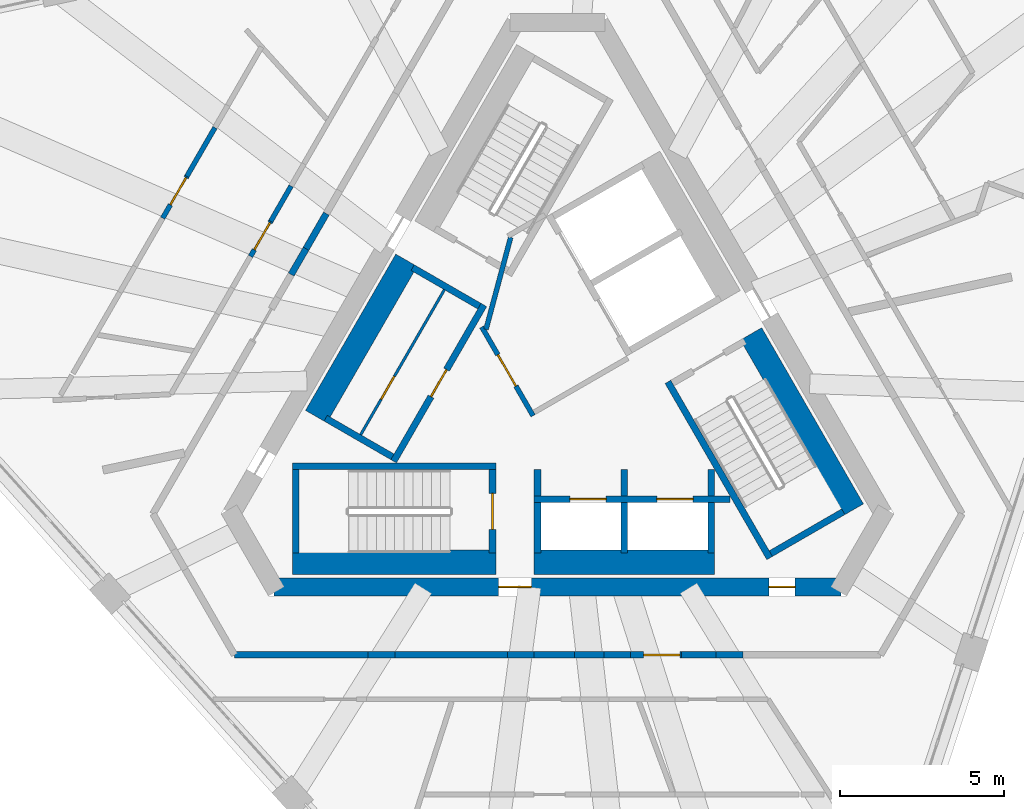
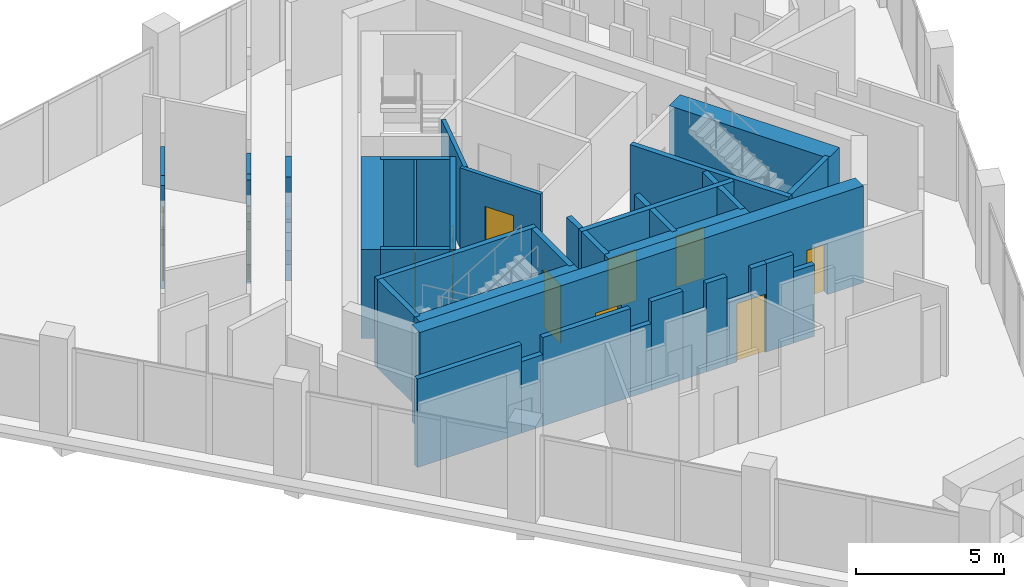
# One storey, part 11 of 17: 39 walls, 11 doors, 11 openings.
"""IFC4 building model written with IfcOpenShell, lengths in metres."""

import ifcopenshell
import ifcopenshell.guid

model = None  # the IFC model being written
_history = None  # IfcOwnerHistory: only IFC2X3 demands one
_inside = {}  # id of a spatial element -> (the spatial element, [elements in it])
_under = {}  # id of a project, library or spatial element -> (it, [spatial elements below it])
_declared = {}  # id of a project -> (the project, [libraries it declares])
_typed = {}  # id of a type object -> (the type object, [elements of that type])
_made_of = {}  # id of a material, layer set ... -> (it, [elements and type objects made of it])


def new_model(schema):
    """Start an empty IFC model of exactly this schema.

    Asked for "IFC4X3", IfcOpenShell would pick the latest addendum, in which some entities
    have other attributes; the version numbers below select the first issue.
    IFC2X3 requires an IfcOwnerHistory on every rooted entity: one is made here for all.
    """
    global model, _history
    if schema == "IFC4X3":
        model = ifcopenshell.file(schema_version=(4, 3, 0, 0))
    else:
        model = ifcopenshell.file(schema=schema)
    _inside.clear()
    _under.clear()
    _declared.clear()
    _typed.clear()
    _made_of.clear()
    _history = None
    if model.schema == "IFC2X3":
        org = make("IfcOrganization", Name="unknown")
        user = make(
            "IfcPersonAndOrganization",
            ThePerson=make("IfcPerson", FamilyName="unknown"),
            TheOrganization=org,
        )
        app = make(
            "IfcApplication",
            ApplicationDeveloper=org,
            Version="unknown",
            ApplicationFullName="unknown",
            ApplicationIdentifier="unknown",
        )
        _history = make(
            "IfcOwnerHistory",
            OwningUser=user,
            OwningApplication=app,
            ChangeAction="ADDED",
            CreationDate=0,
        )
    return model


def make(cls, **values):
    """One entity of the class cls with the attributes given. An attribute that is None is left unset."""
    return model.create_entity(
        cls, **{name: value for name, value in values.items() if value is not None}
    )


def rooted(cls, **values):
    """An entity with a GlobalId (a new one), such as an element, a storey or a relation."""
    return make(cls, GlobalId=ifcopenshell.guid.new(), OwnerHistory=_history, **values)


def si_unit(unit_type, name, prefix=None):
    """IfcSIUnit, for example si_unit("LENGTHUNIT", "METRE", prefix="MILLI")."""
    return make("IfcSIUnit", UnitType=unit_type, Prefix=prefix, Name=name)


def assignment(units):
    """IfcUnitAssignment: the units of a project."""
    return None if units is None else make("IfcUnitAssignment", Units=units)


def point(xyz):
    """IfcCartesianPoint."""
    return None if xyz is None else make("IfcCartesianPoint", Coordinates=xyz)


def direction(xyz):
    """IfcDirection."""
    return None if xyz is None else make("IfcDirection", DirectionRatios=xyz)


def frame(location, z_axis=None, x_axis=None):
    """IfcAxis2Placement3D, a coordinate frame: its origin and axes. An axis left out is left unset."""
    return make(
        "IfcAxis2Placement3D",
        Location=point(location),
        Axis=direction(z_axis),
        RefDirection=direction(x_axis),
    )


def frame_2d(location, x_axis=None):
    """IfcAxis2Placement2D, a coordinate frame in the plane: its origin and x axis."""
    return make(
        "IfcAxis2Placement2D", Location=point(location), RefDirection=direction(x_axis)
    )


def origin():
    """The frame at (0, 0, 0) with its axes left unset."""
    return frame((0.0, 0.0, 0.0))


def place(relative_to, where):
    """IfcLocalPlacement: puts the frame where relative to a parent placement (None: the world)."""
    return make(
        "IfcLocalPlacement", PlacementRelTo=relative_to, RelativePlacement=where
    )


def context(
    kind, dimensions, precision=None, world=None, true_north=None, identifier=None
):
    """IfcGeometricRepresentationContext, for example the 3D "Model" context."""
    return make(
        "IfcGeometricRepresentationContext",
        ContextIdentifier=identifier,
        ContextType=kind,
        CoordinateSpaceDimension=dimensions,
        Precision=precision,
        WorldCoordinateSystem=world,
        TrueNorth=true_north,
    )


def subcontext(parent, identifier, kind, view, scale=None):
    """IfcGeometricRepresentationSubContext, for example "Body" below "Model"."""
    return make(
        "IfcGeometricRepresentationSubContext",
        ContextIdentifier=identifier,
        ContextType=kind,
        ParentContext=parent,
        TargetScale=scale,
        TargetView=view,
    )


def project(units=None, contexts=None):
    """IfcProject with its units and contexts."""
    return rooted(
        "IfcProject",
        Name="project",
        RepresentationContexts=contexts,
        UnitsInContext=assignment(units),
    )


def spatial(cls, under=None, at=None, **own):
    """A site, building, storey or space (cls), placed at a placement, below another one or the project."""
    s = rooted(cls, ObjectPlacement=at, **own)
    if under is not None:
        _under.setdefault(under.id(), (under, []))[1].append(s)
    return s


def polyline(points):
    """IfcPolyline through the points."""
    return make("IfcPolyline", Points=[point(p) for p in points])


def profile(cls, at=None, kind="AREA", **sizes):
    """A parametric profile (cls). Its sizes go by their IFC names, for example OverallWidth=200.0."""
    return make(cls, ProfileType=kind, Position=at, **sizes)


def rectangle(**sizes):
    """IfcRectangleProfileDef."""
    return profile("IfcRectangleProfileDef", **sizes)


def outline(outer, holes=None, kind="AREA"):
    """IfcArbitraryClosedProfileDef: a profile drawn as a closed curve; with holes, ...WithVoids."""
    if holes is None:
        return make("IfcArbitraryClosedProfileDef", ProfileType=kind, OuterCurve=outer)
    return make(
        "IfcArbitraryProfileDefWithVoids",
        ProfileType=kind,
        OuterCurve=outer,
        InnerCurves=holes,
    )


def extrude(swept, where, along, depth):
    """IfcExtrudedAreaSolid: the profile swept, set in the frame where, extruded along a direction by depth."""
    return make(
        "IfcExtrudedAreaSolid",
        SweptArea=swept,
        Position=where,
        ExtrudedDirection=direction(along),
        Depth=depth,
    )


def shape(context_of_items, identifier, shape_type, items):
    """IfcShapeRepresentation: the items that make up one representation, for example the "Body"."""
    return make(
        "IfcShapeRepresentation",
        ContextOfItems=context_of_items,
        RepresentationIdentifier=identifier,
        RepresentationType=shape_type,
        Items=items,
    )


def material(Name=None, Category=None):
    """IfcMaterial."""
    return make("IfcMaterial", Name=Name, Category=Category)


def layer(
    of_material, thickness, ventilated=None, Name=None, Category=None, Priority=None
):
    """IfcMaterialLayer: one layer of a wall or slab, of a material (None: an air gap)."""
    return make(
        "IfcMaterialLayer",
        Material=of_material,
        LayerThickness=thickness,
        IsVentilated=ventilated,
        Name=Name,
        Category=Category,
        Priority=Priority,
    )


def layer_set(layers, Name=None):
    """IfcMaterialLayerSet."""
    return make("IfcMaterialLayerSet", MaterialLayers=layers, LayerSetName=Name)


def made_of(thing, what):
    """Note that an element or type object is made of a material, layer set ...; save() writes the relation."""
    if what is not None:
        _made_of.setdefault(what.id(), (what, []))[1].append(thing)
    return thing


def type_object(cls, material=None, **own):
    """A type object (cls), such as IfcWallType, which elements share."""
    return made_of(rooted(cls, **own), material)


def element(
    cls,
    number,
    at=None,
    inside=None,
    cuts=None,
    type_object=None,
    material=None,
    context=None,
    identifier="Body",
    shape_type=None,
    held_by="IfcProductDefinitionShape",
    body=None,
    shapes=None,
    **own,
):
    """One element of the class cls, such as IfcWall. Its Tag is "e" and its number.

    at: its placement. inside: the storey or other place that contains it. cuts: it is an
    opening in that element (IfcRelVoidsElement). A single representation is given by context,
    identifier, shape_type and body (its items); several are given by shapes. held_by: the class
    of the entity that holds the representations. save() writes the other relations.
    """
    e = rooted(cls, Tag="e%d" % number, ObjectPlacement=at, **own)
    if body is not None:
        shapes = [shape(context, identifier, shape_type, body)]
    if shapes is not None:
        e.Representation = make(held_by, Representations=shapes)
    if inside is not None:
        _inside.setdefault(inside.id(), (inside, []))[1].append(e)
    if cuts is not None:
        rooted(
            "IfcRelVoidsElement", RelatingBuildingElement=cuts, RelatedOpeningElement=e
        )
    if type_object is not None:
        _typed.setdefault(type_object.id(), (type_object, []))[1].append(e)
    return made_of(e, material)


def fill(opening, filler):
    """IfcRelFillsElement: the door or window that sits in an opening."""
    return rooted(
        "IfcRelFillsElement",
        RelatingOpeningElement=opening,
        RelatedBuildingElement=filler,
    )


def aggregate(whole, parts):
    """IfcRelAggregates: a whole, such as a stair, and the parts it consists of."""
    return rooted("IfcRelAggregates", RelatingObject=whole, RelatedObjects=parts)


def save(model, path):
    """Write the relations noted so far, then the file.

    IfcRelAggregates (storeys below a building ...), IfcRelContainedInSpatialStructure (elements
    in a storey), IfcRelDefinesByType, IfcRelAssociatesMaterial and IfcRelDeclares: one each for
    every whole, place, type object, material and project.
    """
    for whole, parts in _under.values():
        aggregate(whole, parts)
    for where, things in _inside.values():
        rooted(
            "IfcRelContainedInSpatialStructure",
            RelatedElements=things,
            RelatingStructure=where,
        )
    for kind, things in _typed.values():
        rooted("IfcRelDefinesByType", RelatedObjects=things, RelatingType=kind)
    for what, things in _made_of.values():
        rooted("IfcRelAssociatesMaterial", RelatedObjects=things, RelatingMaterial=what)
    for by, libraries in _declared.values():
        rooted("IfcRelDeclares", RelatingContext=by, RelatedDefinitions=libraries)
    model.write(path)


model = new_model("IFC4")

# Units and contexts
model_context = context("Model", 3, precision=1e-05, world=origin(), true_north=direction((0.0, 1.0)))
body_context = subcontext(model_context, "Body", "Model", "MODEL_VIEW")
ifc_project = project(units=[si_unit("LENGTHUNIT", "METRE"), si_unit("AREAUNIT", "SQUARE_METRE"), si_unit("VOLUMEUNIT", "CUBIC_METRE"), si_unit("PLANEANGLEUNIT", "RADIAN"), si_unit("MASSUNIT", "GRAM", prefix="KILO")], contexts=[model_context])

# Site, building, storey
site_placement = place(None, origin())
site = spatial("IfcSite", under=ifc_project, at=site_placement, CompositionType="ELEMENT")
building_placement = place(site_placement, origin())
building = spatial("IfcBuilding", under=site, at=building_placement, Name="Tramontana Tower", CompositionType="ELEMENT")
storey_placement = place(building_placement, frame((0.0, 0.0, 348.39990234375)))
storey = spatial("IfcBuildingStorey", under=building, at=storey_placement, Name="L80", CompositionType="ELEMENT", Elevation=348.39990234375)

# Wall, openings, doors
ifc_material_1 = material(Name="Concrete 70 MPa", Category="concrete")
ifc_layer_1 = layer(ifc_material_1, 0.550048828125)
ifc_layer_set_1 = layer_set([ifc_layer_1], Name="Core wall 550 70 MPa")
wall_type_1 = type_object("IfcWallType", Name="Core wall 550 70 MPa", PredefinedType="SHEAR", material=ifc_layer_set_1)
wall_1_placement = place(storey_placement, frame((-8.645751953125, -6.47509765625, 0.0), z_axis=(0.0, 0.0, 1.0), x_axis=(1.0, 0.0, 0.0)))
wall_1 = element("IfcWall", 1, at=wall_1_placement, inside=storey, type_object=wall_type_1, Name="Core wall C3 L80", PredefinedType="SHEAR", context=body_context, shape_type="SweptSolid", body=[
    extrude(rectangle(XDim=17.29150390625, YDim=0.550048828125, at=frame_2d((8.645751953125, 0.0))), origin(), (0.0, 0.0, 1.0), 4.0),
])
opening_1_placement = place(wall_1_placement, frame((6.850830078125, 0.0, 0.0)))
opening_1 = element("IfcOpeningElement", 2, at=opening_1_placement, cuts=wall_1, Name="Opening RG2", PredefinedType="OPENING", context=body_context, shape_type="SweptSolid", body=[
    extrude(rectangle(XDim=1.0, YDim=2.39990234375, at=frame_2d((0.5, 1.199951171875))), frame((0.0, 0.284912109375, 0.0), z_axis=(0.0, -1.0, 0.0), x_axis=(1.0, 0.0, 0.0)), (0.0, 0.0, 1.0), 0.570068359375),
])
opening_2_placement = place(wall_1_placement, frame((15.088623046875, 0.0, 0.0)))
opening_2 = element("IfcOpeningElement", 3, at=opening_2_placement, cuts=wall_1, Name="Opening PD2", PredefinedType="OPENING", context=body_context, shape_type="SweptSolid", body=[
    extrude(rectangle(XDim=0.800048828125, YDim=2.10009765625, at=frame_2d((0.39990234375, 1.050048828125))), frame((0.0, 0.284912109375, 0.0), z_axis=(0.0, -1.0, 0.0), x_axis=(1.0, 0.0, 0.0)), (0.0, 0.0, 1.0), 0.570068359375),
])
ifc_material_2 = material(Name="Painted steel", Category="steel")
door_type_1 = type_object("IfcDoorType", Name="CUPBOARD DOOR 800", OperationType="SINGLE_SWING_LEFT", PredefinedType="DOOR", material=ifc_material_2)
door_1_placement = place(opening_2_placement, origin())
door_1 = element("IfcDoor", 4, at=door_1_placement, inside=storey, type_object=door_type_1, Name="Door PD2", OperationType="SINGLE_SWING_RIGHT", OverallHeight=2.10009765625, OverallWidth=0.800048828125, PredefinedType="DOOR", context=body_context, shape_type="SweptSolid", body=[
    extrude(rectangle(XDim=0.800048828125, YDim=2.10009765625, at=frame_2d((0.39990234375, 1.050048828125))), frame((0.0, 0.02490234375, 0.0), z_axis=(0.0, -1.0, 0.0), x_axis=(1.0, 0.0, 0.0)), (0.0, 0.0, 1.0), 0.050048828125),
])
fill(opening_2, door_1)
ifc_material_3 = material(Name="Painted steel", Category="steel")
door_type_2 = type_object("IfcDoorType", Name="RING DOOR 1000", OperationType="SINGLE_SWING_LEFT", PredefinedType="DOOR", material=ifc_material_3)
door_2_placement = place(opening_1_placement, origin())
door_2 = element("IfcDoor", 5, at=door_2_placement, inside=storey, type_object=door_type_2, Name="Door RG2", OperationType="SINGLE_SWING_LEFT", OverallHeight=2.39990234375, OverallWidth=1.0, PredefinedType="DOOR", context=body_context, shape_type="SweptSolid", body=[
    extrude(rectangle(XDim=1.0, YDim=2.39990234375, at=frame_2d((0.5, 1.199951171875))), frame((0.0, 0.02490234375, 0.0), z_axis=(0.0, -1.0, 0.0), x_axis=(1.0, 0.0, 0.0)), (0.0, 0.0, 1.0), 0.050048828125),
])
fill(opening_1, door_2)

# Walls
ifc_material_4 = material(Name="Blockwork", Category="masonry")
ifc_layer_2 = layer(ifc_material_4, 0.199951171875)
ifc_layer_set_2 = layer_set([ifc_layer_2], Name="ENTRY WALL 200")
wall_type_2 = type_object("IfcWallType", Name="ENTRY WALL 200", PredefinedType="SOLIDWALL", material=ifc_layer_set_2)
wall_2_placement = place(storey_placement, frame((5.6494140625, -8.550048828125, 0.0), z_axis=(0.0, 0.0, 1.0), x_axis=(-1.0, 0.0, 0.0)))
element("IfcWall", 6, at=wall_2_placement, inside=storey, type_object=wall_type_2, Name="Wall v82-ew1-1", PredefinedType="SOLIDWALL", context=body_context, shape_type="SweptSolid", body=[
    extrude(rectangle(XDim=0.821044921875, YDim=0.199951171875, at=frame_2d((0.41064453125, 0.0))), origin(), (0.0, 0.0, 1.0), 2.9501953125),
])
wall_3_placement = place(storey_placement, frame((4.828369140625, -8.550048828125, 0.0), z_axis=(0.0, 0.0, 1.0), x_axis=(-1.0, 0.0, 0.0)))
element("IfcWall", 7, at=wall_3_placement, inside=storey, type_object=wall_type_2, Name="Wall v82-ew1-2", PredefinedType="SOLIDWALL", context=body_context, shape_type="SweptSolid", body=[
    extrude(rectangle(XDim=1.050048828125, YDim=0.199951171875, at=frame_2d((0.52490234375, 0.0))), origin(), (0.0, 0.0, 1.0), 3.650146484375),
])

# Wall, opening, door
wall_4_placement = place(storey_placement, frame((2.22900390625, -8.550048828125, 0.0), z_axis=(0.0, 0.0, 1.0), x_axis=(1.0, 0.0, 0.0)))
wall_4 = element("IfcWall", 8, at=wall_4_placement, inside=storey, type_object=wall_type_2, Name="Wall v82-ew1-3", PredefinedType="SOLIDWALL", context=body_context, shape_type="SweptSolid", body=[
    extrude(outline(polyline([(0.0, 0.0), (1.54931640625, 0.0), (1.549072265625, 3.650146484375), (0.94384765625, 3.650146484375), (0.94384765625, 2.550048828125), (0.0, 2.550048828125), (0.0, 0.0)])), frame((0.0, 0.10009765625, 0.0), z_axis=(0.0, -1.0, 0.0), x_axis=(1.0, 0.0, 0.0)), (0.0, 0.0, 1.0), 0.199951171875),
])
opening_3_placement = place(wall_4_placement, frame((0.399169921875, 0.0, 0.0)))
opening_3 = element("IfcOpeningElement", 9, at=opening_3_placement, cuts=wall_4, Name="Opening B8C-16", PredefinedType="OPENING", context=body_context, shape_type="SweptSolid", body=[
    extrude(rectangle(XDim=1.10009765625, YDim=2.39990234375, at=frame_2d((0.550048828125, 1.199951171875))), frame((0.0, 0.10986328125, 0.0), z_axis=(0.0, -1.0, 0.0), x_axis=(1.0, 0.0, 0.0)), (0.0, 0.0, 1.0), 0.219970703125),
])
ifc_material_5 = material(Name="Painted timber", Category="wood")
door_type_3 = type_object("IfcDoorType", Name="DOOR ENTRY 1100", OperationType="SINGLE_SWING_LEFT", PredefinedType="DOOR", material=ifc_material_5)
door_3_placement = place(opening_3_placement, origin())
door_3 = element("IfcDoor", 10, at=door_3_placement, inside=storey, type_object=door_type_3, Name="Door B8C-16", OperationType="SINGLE_SWING_RIGHT", OverallHeight=2.39990234375, OverallWidth=1.10009765625, PredefinedType="DOOR", context=body_context, shape_type="SweptSolid", body=[
    extrude(rectangle(XDim=1.10009765625, YDim=2.39990234375, at=frame_2d((0.550048828125, 1.199951171875))), frame((0.0, 0.02490234375, 0.0), z_axis=(0.0, -1.0, 0.0), x_axis=(1.0, 0.0, 0.0)), (0.0, 0.0, 1.0), 0.050048828125),
])
fill(opening_3, door_3)

# Walls
wall_5_placement = place(storey_placement, frame((2.22900390625, -8.550048828125, 0.0), z_axis=(0.0, 0.0, 1.0), x_axis=(-1.0, 0.0, 0.0)))
element("IfcWall", 11, at=wall_5_placement, inside=storey, type_object=wall_type_2, Name="Wall v82-ew1-4", PredefinedType="SOLIDWALL", context=body_context, shape_type="SweptSolid", body=[
    extrude(rectangle(XDim=0.806640625, YDim=0.199951171875, at=frame_2d((0.4033203125, 0.0))), origin(), (0.0, 0.0, 1.0), 3.650146484375),
])
wall_6_placement = place(storey_placement, frame((1.42236328125, -8.550048828125, 0.0), z_axis=(0.0, 0.0, 1.0), x_axis=(-1.0, 0.0, 0.0)))
element("IfcWall", 12, at=wall_6_placement, inside=storey, type_object=wall_type_2, Name="Wall v82-ew1-5", PredefinedType="SOLIDWALL", context=body_context, shape_type="SweptSolid", body=[
    extrude(rectangle(XDim=0.90576171875, YDim=0.199951171875, at=frame_2d((0.452880859375, 0.0))), origin(), (0.0, 0.0, 1.0), 2.550048828125),
])
wall_7_placement = place(storey_placement, frame((0.5166015625, -8.550048828125, 0.0), z_axis=(0.0, 0.0, 1.0), x_axis=(-1.0, 0.0, 0.0)))
element("IfcWall", 13, at=wall_7_placement, inside=storey, type_object=wall_type_2, Name="Wall v82-ew1-6", PredefinedType="SOLIDWALL", context=body_context, shape_type="SweptSolid", body=[
    extrude(rectangle(XDim=1.23828125, YDim=0.199951171875, at=frame_2d((0.619140625, 0.0))), origin(), (0.0, 0.0, 1.0), 3.650146484375),
])
wall_8_placement = place(storey_placement, frame((-0.7216796875, -8.550048828125, 0.0), z_axis=(0.0, 0.0, 1.0), x_axis=(-1.0, 0.0, 0.0)))
element("IfcWall", 14, at=wall_8_placement, inside=storey, type_object=wall_type_2, Name="Wall v82-ew1-7", PredefinedType="SOLIDWALL", context=body_context, shape_type="SweptSolid", body=[
    extrude(rectangle(XDim=0.806884765625, YDim=0.199951171875, at=frame_2d((0.4033203125, 0.0))), origin(), (0.0, 0.0, 1.0), 2.75),
])
wall_9_placement = place(storey_placement, frame((-1.528564453125, -8.550048828125, 0.0), z_axis=(0.0, 0.0, 1.0), x_axis=(-1.0, 0.0, 0.0)))
element("IfcWall", 15, at=wall_9_placement, inside=storey, type_object=wall_type_2, Name="Wall v82-ew1-8", PredefinedType="SOLIDWALL", context=body_context, shape_type="SweptSolid", body=[
    extrude(rectangle(XDim=3.423095703125, YDim=0.199951171875, at=frame_2d((1.71142578125, 0.0))), origin(), (0.0, 0.0, 1.0), 3.650146484375),
])
wall_10_placement = place(storey_placement, frame((-4.95166015625, -8.550048828125, 0.0), z_axis=(0.0, 0.0, 1.0), x_axis=(-1.0, 0.0, 0.0)))
element("IfcWall", 16, at=wall_10_placement, inside=storey, type_object=wall_type_2, Name="Wall v82-ew1-9", PredefinedType="SOLIDWALL", context=body_context, shape_type="SweptSolid", body=[
    extrude(rectangle(XDim=0.826416015625, YDim=0.199951171875, at=frame_2d((0.4130859375, 0.0))), origin(), (0.0, 0.0, 1.0), 2.9501953125),
])
wall_11_placement = place(storey_placement, frame((-5.778076171875, -8.550048828125, 0.0), z_axis=(0.0, 0.0, 1.0), x_axis=(-1.0, 0.0, 0.0)))
element("IfcWall", 17, at=wall_11_placement, inside=storey, type_object=wall_type_2, Name="Wall v82-ew1-10", PredefinedType="SOLIDWALL", context=body_context, shape_type="SweptSolid", body=[
    extrude(rectangle(XDim=4.065673828125, YDim=0.199951171875, at=frame_2d((2.03271484375, 0.0))), origin(), (0.0, 0.0, 1.0), 3.650146484375),
])
wall_12_placement = place(storey_placement, frame((-8.11572265625, 3.043212890625, 0.0), z_axis=(0.0, 0.0, 1.0), x_axis=(0.499994660107, 0.866028486751, 0.0)))
element("IfcWall", 18, at=wall_12_placement, inside=storey, type_object=wall_type_2, Name="Wall v82-ew3-5", PredefinedType="SOLIDWALL", context=body_context, shape_type="SweptSolid", body=[
    extrude(rectangle(XDim=0.90576171875, YDim=0.199951171875, at=frame_2d((0.452880859375, 0.0))), origin(), (0.0, 0.0, 1.0), 2.550048828125),
])
wall_13_placement = place(storey_placement, frame((-7.662841796875, 3.82763671875, 0.0), z_axis=(0.0, 0.0, 1.0), x_axis=(0.499955681623, 0.866050989499, 0.0)))
element("IfcWall", 19, at=wall_13_placement, inside=storey, type_object=wall_type_2, Name="Wall v82-ew3-6", PredefinedType="SOLIDWALL", context=body_context, shape_type="SweptSolid", body=[
    extrude(rectangle(XDim=1.23828125, YDim=0.199951171875, at=frame_2d((0.619140625, 0.0))), origin(), (0.0, 0.0, 1.0), 3.650146484375),
])

# Wall, opening, door
ifc_material_6 = material(Name="Gypsum board partition")
ifc_layer_3 = layer(ifc_material_6, 0.14990234375)
ifc_layer_set_3 = layer_set([ifc_layer_3], Name="PARTITION 150")
wall_type_3 = type_object("IfcWallType", Name="PARTITION 150", PredefinedType="PARTITIONING", material=ifc_layer_set_3)
wall_14_placement = place(storey_placement, frame((-0.744140625, -1.260986328125, 0.0), z_axis=(0.0, 0.0, 1.0), x_axis=(-0.500004234368, 0.866022959057, 0.0)))
wall_14 = element("IfcWall", 20, at=wall_14_placement, inside=storey, type_object=wall_type_3, Name="Wall ff-front", PredefinedType="PARTITIONING", context=body_context, shape_type="SweptSolid", body=[
    extrude(rectangle(XDim=3.125, YDim=0.14990234375, at=frame_2d((1.5625, 0.0))), origin(), (0.0, 0.0, 1.0), 3.650146484375),
])
opening_4_placement = place(wall_14_placement, frame((1.050048828125, 0.0, 0.0)))
opening_4 = element("IfcOpeningElement", 21, at=opening_4_placement, cuts=wall_14, Name="Opening FD1", PredefinedType="OPENING", context=body_context, shape_type="SweptSolid", body=[
    extrude(rectangle(XDim=1.10009765625, YDim=2.39990234375, at=frame_2d((0.550048828125, 1.199951171875))), frame((0.0, 0.0849609375, 0.0), z_axis=(0.0, -1.0, 0.0), x_axis=(1.0, 0.0, 0.0)), (0.0, 0.0, 1.0), 0.169921875),
])
door_4_placement = place(opening_4_placement, origin())
door_4 = element("IfcDoor", 22, at=door_4_placement, inside=storey, type_object=door_type_3, Name="Door FD1", OperationType="SINGLE_SWING_LEFT", OverallHeight=2.39990234375, OverallWidth=1.10009765625, PredefinedType="DOOR", context=body_context, shape_type="SweptSolid", body=[
    extrude(rectangle(XDim=1.10009765625, YDim=2.39990234375, at=frame_2d((0.550048828125, 1.199951171875))), frame((0.0, 0.02490234375, 0.0), z_axis=(0.0, -1.0, 0.0), x_axis=(1.0, 0.0, 0.0)), (0.0, 0.0, 1.0), 0.050048828125),
])
fill(opening_4, door_4)

# Wall
wall_15_placement = place(storey_placement, frame((-2.177978515625, 1.372314453125, 0.0), z_axis=(0.0, 0.0, 1.0), x_axis=(0.258808958833, 0.96592852884, 0.0)))
element("IfcWall", 23, at=wall_15_placement, inside=storey, type_object=wall_type_3, Name="Wall ff-diag", PredefinedType="PARTITIONING", context=body_context, shape_type="SweptSolid", body=[
    extrude(rectangle(XDim=2.902587890625, YDim=0.14990234375, at=frame_2d((1.451171875, 0.0))), origin(), (0.0, 0.0, 1.0), 3.650146484375),
])

# Wall, opening, door
wall_16_placement = place(storey_placement, frame((-12.031005859375, 4.761962890625, 0.0), z_axis=(0.0, 0.0, 1.0), x_axis=(0.50006736263, 0.865986508459, 0.0)))
wall_16 = element("IfcWall", 24, at=wall_16_placement, inside=storey, type_object=wall_type_3, Name="Wall v82-pw02-3", PredefinedType="PARTITIONING", context=body_context, shape_type="SweptSolid", body=[
    extrude(outline(polyline([(0.0, 0.0), (1.470458984375, 0.0), (1.470703125, 3.650146484375), (0.880615234375, 3.650146484375), (0.880615234375, 2.550048828125), (0.0, 2.550048828125), (0.0, 0.0)])), frame((0.0, 0.074951171875, 0.0), z_axis=(0.0, -1.0, 0.0), x_axis=(1.0, 0.0, 0.0)), (0.0, 0.0, 1.0), 0.14990234375),
])
opening_5_placement = place(wall_16_placement, frame((0.470703125, 0.0, 0.0)))
opening_5 = element("IfcOpeningElement", 25, at=opening_5_placement, cuts=wall_16, Name="Opening B8C-12", PredefinedType="OPENING", context=body_context, shape_type="SweptSolid", body=[
    extrude(rectangle(XDim=0.949951171875, YDim=2.39990234375, at=frame_2d((0.47509765625, 1.199951171875))), frame((0.0, 0.0849609375, 0.0), z_axis=(0.0, -1.0, 0.0), x_axis=(1.0, 0.0, 0.0)), (0.0, 0.0, 1.0), 0.169921875),
])
ifc_material_7 = material(Name="Painted timber", Category="wood")
door_type_4 = type_object("IfcDoorType", Name="DOOR ROOM 950", OperationType="SINGLE_SWING_LEFT", PredefinedType="DOOR", material=ifc_material_7)
door_5_placement = place(opening_5_placement, origin())
door_5 = element("IfcDoor", 26, at=door_5_placement, inside=storey, type_object=door_type_4, Name="Door B8C-12", OperationType="SINGLE_SWING_RIGHT", OverallHeight=2.39990234375, OverallWidth=0.949951171875, PredefinedType="DOOR", context=body_context, shape_type="SweptSolid", body=[
    extrude(rectangle(XDim=0.949951171875, YDim=2.39990234375, at=frame_2d((0.47509765625, 1.199951171875))), frame((0.0, 0.02490234375, 0.0), z_axis=(0.0, -1.0, 0.0), x_axis=(1.0, 0.0, 0.0)), (0.0, 0.0, 1.0), 0.050048828125),
])
fill(opening_5, door_5)

# Wall
wall_17_placement = place(storey_placement, frame((-11.295654296875, 6.035400390625, 0.0), z_axis=(0.0, 0.0, 1.0), x_axis=(0.500059337743, 0.865991142412, 0.0)))
element("IfcWall", 27, at=wall_17_placement, inside=storey, type_object=wall_type_3, Name="Wall v82-pw02-4", PredefinedType="PARTITIONING", context=body_context, shape_type="SweptSolid", body=[
    extrude(rectangle(XDim=1.714599609375, YDim=0.14990234375, at=frame_2d((0.857421875, 0.0))), origin(), (0.0, 0.0, 1.0), 3.650146484375),
])

# Wall, opening, door
wall_18_placement = place(storey_placement, frame((-9.35498046875, 3.5966796875, 0.0), z_axis=(0.0, 0.0, 1.0), x_axis=(0.499990780478, 0.866030726613, 0.0)))
wall_18 = element("IfcWall", 28, at=wall_18_placement, inside=storey, type_object=wall_type_3, Name="Wall v82-pw03-4", PredefinedType="PARTITIONING", context=body_context, shape_type="SweptSolid", body=[
    extrude(outline(polyline([(0.0, 0.0), (1.23388671875, 0.0), (1.23388671875, 3.650146484375), (0.880615234375, 3.650146484375), (0.880615234375, 2.550048828125), (0.0, 2.550048828125), (0.0, 0.0)])), frame((0.0, 0.074951171875, 0.0), z_axis=(0.0, -1.0, 0.0), x_axis=(1.0, 0.0, 0.0)), (0.0, 0.0, 1.0), 0.14990234375),
])
opening_6_placement = place(wall_18_placement, frame((0.23388671875, 0.0, 0.0)))
opening_6 = element("IfcOpeningElement", 29, at=opening_6_placement, cuts=wall_18, Name="Opening B8C-01", PredefinedType="OPENING", context=body_context, shape_type="SweptSolid", body=[
    extrude(rectangle(XDim=0.949951171875, YDim=2.39990234375, at=frame_2d((0.47509765625, 1.199951171875))), frame((0.0, 0.0849609375, 0.0), z_axis=(0.0, -1.0, 0.0), x_axis=(1.0, 0.0, 0.0)), (0.0, 0.0, 1.0), 0.169921875),
])
door_6_placement = place(opening_6_placement, origin())
door_6 = element("IfcDoor", 30, at=door_6_placement, inside=storey, type_object=door_type_4, Name="Door B8C-01", OperationType="SINGLE_SWING_LEFT", OverallHeight=2.39990234375, OverallWidth=0.949951171875, PredefinedType="DOOR", context=body_context, shape_type="SweptSolid", body=[
    extrude(rectangle(XDim=0.949951171875, YDim=2.39990234375, at=frame_2d((0.47509765625, 1.199951171875))), frame((0.0, 0.02490234375, 0.0), z_axis=(0.0, -1.0, 0.0), x_axis=(1.0, 0.0, 0.0)), (0.0, 0.0, 1.0), 0.050048828125),
])
fill(opening_6, door_6)

# Wall
wall_19_placement = place(storey_placement, frame((-8.738037109375, 4.665283203125, 0.0), z_axis=(0.0, 0.0, 1.0), x_axis=(0.500012022864, 0.866018462269, 0.0)))
element("IfcWall", 31, at=wall_19_placement, inside=storey, type_object=wall_type_3, Name="Wall v82-pw03-5", PredefinedType="PARTITIONING", context=body_context, shape_type="SweptSolid", body=[
    extrude(rectangle(XDim=1.24072265625, YDim=0.14990234375, at=frame_2d((0.620361328125, 0.0))), origin(), (0.0, 0.0, 1.0), 3.650146484375),
])

# Wall, opening, door
ifc_material_8 = material(Name="Gypsum board partition")
ifc_layer_4 = layer(ifc_material_8, 0.080078125)
ifc_layer_set_4 = layer_set([ifc_layer_4], Name="PARTITION 80")
wall_type_4 = type_object("IfcWallType", Name="PARTITION 80", PredefinedType="PARTITIONING", material=ifc_layer_set_4)
wall_20_placement = place(storey_placement, frame((-5.997314453125, -1.837646484375, 0.0), z_axis=(0.0, 0.0, 1.0), x_axis=(0.500005610874, 0.86602216432, 0.0)))
wall_20 = element("IfcWall", 32, at=wall_20_placement, inside=storey, type_object=wall_type_4, Name="Wall row0-split", PredefinedType="PARTITIONING", context=body_context, shape_type="SweptSolid", body=[
    extrude(rectangle(XDim=5.10009765625, YDim=0.080078125, at=frame_2d((2.550048828125, 0.0))), origin(), (0.0, 0.0, 1.0), 3.650146484375),
])
opening_7_placement = place(wall_20_placement, frame((1.25, 0.0, 0.0)))
opening_7 = element("IfcOpeningElement", 33, at=opening_7_placement, cuts=wall_20, Name="Opening RD-0B", PredefinedType="OPENING", context=body_context, shape_type="SweptSolid", body=[
    extrude(rectangle(XDim=0.800048828125, YDim=2.10009765625, at=frame_2d((0.39990234375, 1.050048828125))), frame((0.0, 0.050048828125, 0.0), z_axis=(0.0, -1.0, 0.0), x_axis=(1.0, 0.0, 0.0)), (0.0, 0.0, 1.0), 0.10009765625),
])
door_7_placement = place(opening_7_placement, origin())
door_7 = element("IfcDoor", 34, at=door_7_placement, inside=storey, type_object=door_type_1, Name="Door RD-0B", OperationType="SINGLE_SWING_RIGHT", OverallHeight=2.10009765625, OverallWidth=0.800048828125, PredefinedType="DOOR", context=body_context, shape_type="SweptSolid", body=[
    extrude(rectangle(XDim=0.800048828125, YDim=2.10009765625, at=frame_2d((0.39990234375, 1.050048828125))), frame((0.0, 0.02490234375, 0.0), z_axis=(0.0, -1.0, 0.0), x_axis=(1.0, 0.0, 0.0)), (0.0, 0.0, 1.0), 0.050048828125),
])
fill(opening_7, door_7)

# Walls
ifc_material_9 = material(Name="Concrete 70 MPa", Category="concrete")
ifc_layer_5 = layer(ifc_material_9, 0.75)
ifc_layer_set_5 = layer_set([ifc_layer_5], Name="Concrete 70 MPa, 750 mm")
wall_type_5 = type_object("IfcWallType", Name="RC SHAFT BACK WALL 750", PredefinedType="SOLIDWALL", material=ifc_layer_set_5)
wall_21_placement = place(storey_placement, frame((-8.080078125, -5.72509765625, 0.0), z_axis=(0.0, 0.0, 1.0), x_axis=(1.0, 0.0, 0.0)))
element("IfcWall", 35, at=wall_21_placement, inside=storey, type_object=wall_type_5, Name="Wall st2-back", PredefinedType="SOLIDWALL", context=body_context, shape_type="SweptSolid", body=[
    extrude(rectangle(XDim=6.2001953125, YDim=0.75, at=frame_2d((3.10009765625, 0.0))), origin(), (0.0, 0.0, 1.0), 3.650146484375),
])
wall_22_placement = place(storey_placement, frame((8.998046875, -4.135009765625, 0.0), z_axis=(0.0, 0.0, 1.0), x_axis=(-0.500009909098, 0.866019682689, 0.0)))
element("IfcWall", 36, at=wall_22_placement, inside=storey, type_object=wall_type_5, Name="Wall st3-back", PredefinedType="SOLIDWALL", context=body_context, shape_type="SweptSolid", body=[
    extrude(rectangle(XDim=6.199951171875, YDim=0.75, at=frame_2d((3.10009765625, 0.0))), origin(), (0.0, 0.0, 1.0), 3.650146484375),
])
wall_23_placement = place(storey_placement, frame((-4.60302734375, 3.477294921875, 0.0), z_axis=(0.0, 0.0, 1.0), x_axis=(-0.500015767406, -0.866016300277, 0.0)))
element("IfcWall", 37, at=wall_23_placement, inside=storey, type_object=wall_type_5, Name="Wall row0-back", PredefinedType="SOLIDWALL", context=body_context, shape_type="SweptSolid", body=[
    extrude(rectangle(XDim=5.499755859375, YDim=0.75, at=frame_2d((2.75, 0.0))), origin(), (0.0, 0.0, 1.0), 3.650146484375),
])
wall_24_placement = place(storey_placement, frame((-0.7099609375, -5.72509765625, 0.0), z_axis=(0.0, 0.0, 1.0), x_axis=(1.0, 0.0, 0.0)))
element("IfcWall", 38, at=wall_24_placement, inside=storey, type_object=wall_type_5, Name="Wall row1-back", PredefinedType="SOLIDWALL", context=body_context, shape_type="SweptSolid", body=[
    extrude(rectangle(XDim=5.5, YDim=0.75, at=frame_2d((2.75, 0.0))), origin(), (0.0, 0.0, 1.0), 3.650146484375),
])
ifc_material_10 = material(Name="Concrete 70 MPa", Category="concrete")
ifc_layer_6 = layer(ifc_material_10, 0.199951171875)
ifc_layer_set_6 = layer_set([ifc_layer_6], Name="Concrete 70 MPa, 200 mm")
wall_type_6 = type_object("IfcWallType", Name="RC STAIR AND SHAFT WALL 200", PredefinedType="SOLIDWALL", material=ifc_layer_set_6)
wall_25_placement = place(storey_placement, frame((-8.080078125, -2.800048828125, 0.0), z_axis=(0.0, 0.0, 1.0), x_axis=(1.0, 0.0, 0.0)))
element("IfcWall", 39, at=wall_25_placement, inside=storey, type_object=wall_type_6, Name="Wall st2-front", PredefinedType="SOLIDWALL", context=body_context, shape_type="SweptSolid", body=[
    extrude(rectangle(XDim=6.2001953125, YDim=0.199951171875, at=frame_2d((3.10009765625, 0.0))), origin(), (0.0, 0.0, 1.0), 3.650146484375),
])
wall_26_placement = place(storey_placement, frame((-7.97998046875, -2.89990234375, 0.0), z_axis=(0.0, 0.0, 1.0), x_axis=(0.0, -1.0, 0.0)))
element("IfcWall", 40, at=wall_26_placement, inside=storey, type_object=wall_type_6, Name="Wall st2-far", PredefinedType="SOLIDWALL", context=body_context, shape_type="SweptSolid", body=[
    extrude(rectangle(XDim=2.550048828125, YDim=0.199951171875, at=frame_2d((1.27490234375, 0.0))), origin(), (0.0, 0.0, 1.0), 3.650146484375),
])

# Wall, opening, door
wall_27_placement = place(storey_placement, frame((-1.97998046875, -2.89990234375, 0.0), z_axis=(0.0, 0.0, 1.0), x_axis=(0.0, -1.0, 0.0)))
wall_27 = element("IfcWall", 41, at=wall_27_placement, inside=storey, type_object=wall_type_6, Name="Wall st2-near", PredefinedType="SOLIDWALL", context=body_context, shape_type="SweptSolid", body=[
    extrude(rectangle(XDim=2.550048828125, YDim=0.199951171875, at=frame_2d((1.27490234375, 0.0))), origin(), (0.0, 0.0, 1.0), 3.650146484375),
])
opening_8_placement = place(wall_27_placement, frame((0.72509765625, 0.0, 0.0)))
opening_8 = element("IfcOpeningElement", 42, at=opening_8_placement, cuts=wall_27, Name="Opening SD2", PredefinedType="OPENING", context=body_context, shape_type="SweptSolid", body=[
    extrude(rectangle(XDim=1.10009765625, YDim=2.39990234375, at=frame_2d((0.550048828125, 1.199951171875))), frame((0.0, 0.10986328125, 0.0), z_axis=(0.0, -1.0, 0.0), x_axis=(1.0, 0.0, 0.0)), (0.0, 0.0, 1.0), 0.219970703125),
])
ifc_material_11 = material(Name="Painted steel", Category="steel")
door_type_5 = type_object("IfcDoorType", Name="STAIR DOOR 1100", OperationType="SINGLE_SWING_LEFT", PredefinedType="DOOR", material=ifc_material_11)
door_8_placement = place(opening_8_placement, origin())
door_8 = element("IfcDoor", 43, at=door_8_placement, inside=storey, type_object=door_type_5, Name="Door SD2", OperationType="SINGLE_SWING_LEFT", OverallHeight=2.39990234375, OverallWidth=1.10009765625, PredefinedType="DOOR", context=body_context, shape_type="SweptSolid", body=[
    extrude(rectangle(XDim=1.10009765625, YDim=2.39990234375, at=frame_2d((0.550048828125, 1.199951171875))), frame((0.0, 0.02490234375, 0.0), z_axis=(0.0, -1.0, 0.0), x_axis=(1.0, 0.0, 0.0)), (0.0, 0.0, 1.0), 0.050048828125),
])
fill(opening_8, door_8)

# Walls
wall_28_placement = place(storey_placement, frame((6.46484375, -5.597412109375, 0.0), z_axis=(0.0, 0.0, 1.0), x_axis=(-0.49998037582, 0.866036733513, 0.0)))
element("IfcWall", 44, at=wall_28_placement, inside=storey, type_object=wall_type_6, Name="Wall st3-front", PredefinedType="SOLIDWALL", context=body_context, shape_type="SweptSolid", body=[
    extrude(rectangle(XDim=6.199951171875, YDim=0.199951171875, at=frame_2d((3.10009765625, 0.0))), origin(), (0.0, 0.0, 1.0), 3.650146484375),
])
wall_29_placement = place(storey_placement, frame((6.50146484375, -5.4609375, 0.0), z_axis=(0.0, 0.0, 1.0), x_axis=(0.865989465428, 0.500062241894, 0.0)))
element("IfcWall", 45, at=wall_29_placement, inside=storey, type_object=wall_type_6, Name="Wall st3-far", PredefinedType="SOLIDWALL", context=body_context, shape_type="SweptSolid", body=[
    extrude(rectangle(XDim=2.550048828125, YDim=0.199951171875, at=frame_2d((1.27490234375, 0.0))), origin(), (0.0, 0.0, 1.0), 3.650146484375),
])

# Wall, opening, door
wall_30_placement = place(storey_placement, frame((-4.9931640625, -2.648193359375, 0.0), z_axis=(0.0, 0.0, 1.0), x_axis=(0.499996545922, 0.866027397988, 0.0)))
wall_30 = element("IfcWall", 46, at=wall_30_placement, inside=storey, type_object=wall_type_6, Name="Wall row0-front", PredefinedType="SOLIDWALL", context=body_context, shape_type="SweptSolid", body=[
    extrude(rectangle(XDim=5.5, YDim=0.199951171875, at=frame_2d((2.75, 0.0))), origin(), (0.0, 0.0, 1.0), 3.650146484375),
])
opening_9_placement = place(wall_30_placement, frame((2.27490234375, 0.0, 0.0)))
opening_9 = element("IfcOpeningElement", 47, at=opening_9_placement, cuts=wall_30, Name="Opening RD-0A", PredefinedType="OPENING", context=body_context, shape_type="SweptSolid", body=[
    extrude(rectangle(XDim=0.949951171875, YDim=2.39990234375, at=frame_2d((0.47509765625, 1.199951171875))), frame((0.0, 0.10986328125, 0.0), z_axis=(0.0, -1.0, 0.0), x_axis=(1.0, 0.0, 0.0)), (0.0, 0.0, 1.0), 0.219970703125),
])
door_9_placement = place(opening_9_placement, origin())
door_9 = element("IfcDoor", 48, at=door_9_placement, inside=storey, type_object=door_type_4, Name="Door RD-0A", OperationType="SINGLE_SWING_LEFT", OverallHeight=2.39990234375, OverallWidth=0.949951171875, PredefinedType="DOOR", context=body_context, shape_type="SweptSolid", body=[
    extrude(rectangle(XDim=0.949951171875, YDim=2.39990234375, at=frame_2d((0.47509765625, 1.199951171875))), frame((0.0, 0.02490234375, 0.0), z_axis=(0.0, -1.0, 0.0), x_axis=(1.0, 0.0, 0.0)), (0.0, 0.0, 1.0), 0.050048828125),
])
fill(opening_9, door_9)

# Walls
wall_31_placement = place(storey_placement, frame((-2.379638671875, 2.078369140625, 0.0), z_axis=(0.0, 0.0, 1.0), x_axis=(-0.866061024631, 0.499938297808, 0.0)))
element("IfcWall", 49, at=wall_31_placement, inside=storey, type_object=wall_type_6, Name="Wall row0-side0", PredefinedType="SOLIDWALL", context=body_context, shape_type="SweptSolid", body=[
    extrude(rectangle(XDim=2.349853515625, YDim=0.199951171875, at=frame_2d((1.1748046875, 0.0))), origin(), (0.0, 0.0, 1.0), 3.650146484375),
])
wall_32_placement = place(storey_placement, frame((-5.02978515625, -2.51171875, 0.0), z_axis=(0.0, 0.0, 1.0), x_axis=(-0.866016039709, 0.500016218704, 0.0)))
element("IfcWall", 50, at=wall_32_placement, inside=storey, type_object=wall_type_6, Name="Wall row0-side2", PredefinedType="SOLIDWALL", context=body_context, shape_type="SweptSolid", body=[
    extrude(rectangle(XDim=2.35009765625, YDim=0.199951171875, at=frame_2d((1.175048828125, 0.0))), origin(), (0.0, 0.0, 1.0), 3.650146484375),
])

# Wall, openings, doors
wall_33_placement = place(storey_placement, frame((-0.7099609375, -3.800048828125, 0.0), z_axis=(0.0, 0.0, 1.0), x_axis=(1.0, 0.0, 0.0)))
wall_33 = element("IfcWall", 51, at=wall_33_placement, inside=storey, type_object=wall_type_6, Name="Wall row1-front", PredefinedType="SOLIDWALL", context=body_context, shape_type="SweptSolid", body=[
    extrude(rectangle(XDim=5.96142578125, YDim=0.199951171875, at=frame_2d((2.980712890625, 0.0))), origin(), (0.0, 0.0, 1.0), 3.650146484375),
])
opening_10_placement = place(wall_33_placement, frame((1.090087890625, 0.0, 0.0)))
opening_10 = element("IfcOpeningElement", 52, at=opening_10_placement, cuts=wall_33, Name="Opening LD-S1", PredefinedType="OPENING", context=body_context, shape_type="SweptSolid", body=[
    extrude(rectangle(XDim=1.10009765625, YDim=2.10009765625, at=frame_2d((0.550048828125, 1.050048828125))), frame((0.0, 0.10986328125, 0.0), z_axis=(0.0, -1.0, 0.0), x_axis=(1.0, 0.0, 0.0)), (0.0, 0.0, 1.0), 0.219970703125),
])
opening_11_placement = place(wall_33_placement, frame((3.739990234375, 0.0, 0.0)))
opening_11 = element("IfcOpeningElement", 53, at=opening_11_placement, cuts=wall_33, Name="Opening LD-S2", PredefinedType="OPENING", context=body_context, shape_type="SweptSolid", body=[
    extrude(rectangle(XDim=1.10009765625, YDim=2.10009765625, at=frame_2d((0.550048828125, 1.050048828125))), frame((0.0, 0.10986328125, 0.0), z_axis=(0.0, -1.0, 0.0), x_axis=(1.0, 0.0, 0.0)), (0.0, 0.0, 1.0), 0.219970703125),
])
ifc_material_12 = material(Name="Brushed steel", Category="steel")
door_type_6 = type_object("IfcDoorType", Name="LANDING DOOR 1100", OperationType="SINGLE_SWING_LEFT", PredefinedType="DOOR", material=ifc_material_12)
door_10_placement = place(opening_10_placement, origin())
door_10 = element("IfcDoor", 54, at=door_10_placement, inside=storey, type_object=door_type_6, Name="Door LD-S1", OperationType="SLIDING_TO_LEFT", OverallHeight=2.10009765625, OverallWidth=1.10009765625, PredefinedType="DOOR", context=body_context, shape_type="SweptSolid", body=[
    extrude(rectangle(XDim=1.10009765625, YDim=2.10009765625, at=frame_2d((0.550048828125, 1.050048828125))), frame((0.0, 0.02490234375, 0.0), z_axis=(0.0, -1.0, 0.0), x_axis=(1.0, 0.0, 0.0)), (0.0, 0.0, 1.0), 0.050048828125),
])
fill(opening_10, door_10)
door_11_placement = place(opening_11_placement, origin())
door_11 = element("IfcDoor", 55, at=door_11_placement, inside=storey, type_object=door_type_6, Name="Door LD-S2", OperationType="SLIDING_TO_RIGHT", OverallHeight=2.10009765625, OverallWidth=1.10009765625, PredefinedType="DOOR", context=body_context, shape_type="SweptSolid", body=[
    extrude(rectangle(XDim=1.10009765625, YDim=2.10009765625, at=frame_2d((0.550048828125, 1.050048828125))), frame((0.0, 0.02490234375, 0.0), z_axis=(0.0, -1.0, 0.0), x_axis=(1.0, 0.0, 0.0)), (0.0, 0.0, 1.0), 0.050048828125),
])
fill(opening_11, door_11)

# Walls
wall_34_placement = place(storey_placement, frame((-0.610107421875, -3.89990234375, 0.0), z_axis=(0.0, 0.0, 1.0), x_axis=(0.0, -1.0, 0.0)))
element("IfcWall", 56, at=wall_34_placement, inside=storey, type_object=wall_type_6, Name="Wall row1-side0", PredefinedType="SOLIDWALL", context=body_context, shape_type="SweptSolid", body=[
    extrude(rectangle(XDim=1.550048828125, YDim=0.199951171875, at=frame_2d((0.77490234375, 0.0))), origin(), (0.0, 0.0, 1.0), 3.650146484375),
])
wall_35_placement = place(storey_placement, frame((-0.610107421875, -2.89990234375, 0.0), z_axis=(0.0, 0.0, 1.0), x_axis=(0.0, -1.0, 0.0)))
element("IfcWall", 57, at=wall_35_placement, inside=storey, type_object=wall_type_6, Name="Wall row1-side0-ret", PredefinedType="SOLIDWALL", context=body_context, shape_type="SweptSolid", body=[
    extrude(rectangle(XDim=0.800048828125, YDim=0.199951171875, at=frame_2d((0.39990234375, 0.0))), origin(), (0.0, 0.0, 1.0), 3.650146484375),
])
wall_36_placement = place(storey_placement, frame((2.0400390625, -3.89990234375, 0.0), z_axis=(0.0, 0.0, 1.0), x_axis=(0.0, -1.0, 0.0)))
element("IfcWall", 58, at=wall_36_placement, inside=storey, type_object=wall_type_6, Name="Wall row1-side1", PredefinedType="SOLIDWALL", context=body_context, shape_type="SweptSolid", body=[
    extrude(rectangle(XDim=1.550048828125, YDim=0.199951171875, at=frame_2d((0.77490234375, 0.0))), origin(), (0.0, 0.0, 1.0), 3.650146484375),
])
wall_37_placement = place(storey_placement, frame((2.0400390625, -2.89990234375, 0.0), z_axis=(0.0, 0.0, 1.0), x_axis=(0.0, -1.0, 0.0)))
element("IfcWall", 59, at=wall_37_placement, inside=storey, type_object=wall_type_6, Name="Wall row1-side1-ret", PredefinedType="SOLIDWALL", context=body_context, shape_type="SweptSolid", body=[
    extrude(rectangle(XDim=0.800048828125, YDim=0.199951171875, at=frame_2d((0.39990234375, 0.0))), origin(), (0.0, 0.0, 1.0), 3.650146484375),
])
wall_38_placement = place(storey_placement, frame((4.68994140625, -3.89990234375, 0.0), z_axis=(0.0, 0.0, 1.0), x_axis=(0.0, -1.0, 0.0)))
element("IfcWall", 60, at=wall_38_placement, inside=storey, type_object=wall_type_6, Name="Wall row1-side2", PredefinedType="SOLIDWALL", context=body_context, shape_type="SweptSolid", body=[
    extrude(rectangle(XDim=1.550048828125, YDim=0.199951171875, at=frame_2d((0.77490234375, 0.0))), origin(), (0.0, 0.0, 1.0), 3.650146484375),
])
wall_39_placement = place(storey_placement, frame((4.68994140625, -2.89990234375, 0.0), z_axis=(0.0, 0.0, 1.0), x_axis=(0.0, -1.0, 0.0)))
element("IfcWall", 61, at=wall_39_placement, inside=storey, type_object=wall_type_6, Name="Wall row1-side2-ret", PredefinedType="SOLIDWALL", context=body_context, shape_type="SweptSolid", body=[
    extrude(rectangle(XDim=0.800048828125, YDim=0.199951171875, at=frame_2d((0.39990234375, 0.0))), origin(), (0.0, 0.0, 1.0), 3.650146484375),
])

save(model, "model.ifc")
